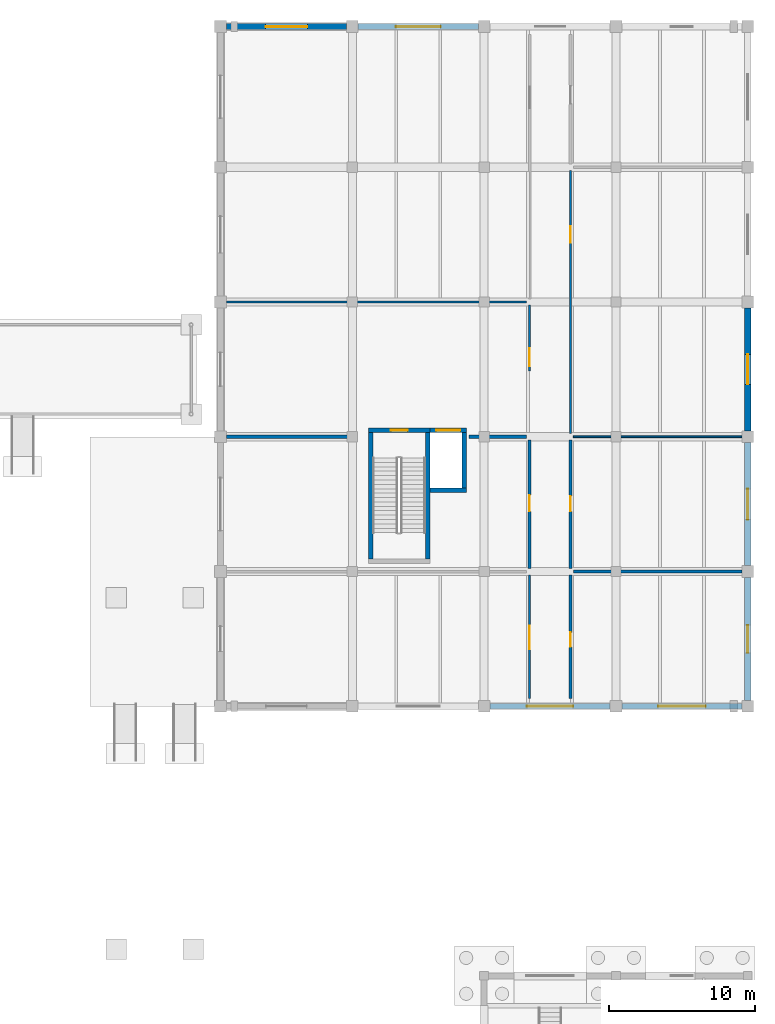
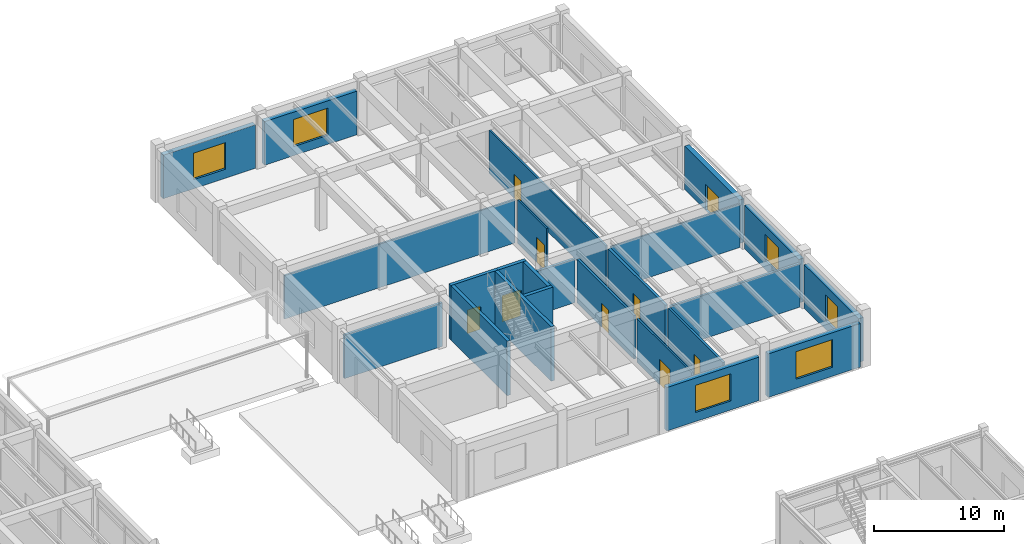
# One storey, part 63 of 76: 24 walls, 9 doors, 6 windows, 15 openings.
"""IFC4 building model written with IfcOpenShell, lengths in metres."""

from ifc_helpers import new_model, si_unit, direction, frame, frame_2d, origin, place, context, subcontext, project, spatial, rectangle, extrude, material, layer, layer_set, type_object, element, fill, save


model = new_model("IFC4")

# Units and contexts
model_context = context("Model", 3, precision=1e-05, world=origin(), true_north=direction((0.0, 1.0)))
body_context = subcontext(model_context, "Body", "Model", "MODEL_VIEW")
ifc_project = project(units=[si_unit("LENGTHUNIT", "METRE"), si_unit("AREAUNIT", "SQUARE_METRE"), si_unit("VOLUMEUNIT", "CUBIC_METRE"), si_unit("PLANEANGLEUNIT", "RADIAN"), si_unit("MASSUNIT", "GRAM", prefix="KILO")], contexts=[model_context])

# Site, building, storey
site_placement = place(None, origin())
site = spatial("IfcSite", under=ifc_project, at=site_placement, CompositionType="ELEMENT")
building_placement = place(site_placement, origin())
building = spatial("IfcBuilding", under=site, at=building_placement, Name="Bozkorgan Art Gallery", CompositionType="ELEMENT")
storey_placement = place(building_placement, origin())
storey = spatial("IfcBuildingStorey", under=building, at=storey_placement, Name="L00", CompositionType="ELEMENT", Elevation=0.0)

# Wall, opening, door
ifc_material_1 = material(Name="Concrete C40/50", Category="concrete")
ifc_layer_1 = layer(ifc_material_1, 0.300048828125, Name="Concrete C40/50")
ifc_layer_set_1 = layer_set([ifc_layer_1], Name="Concrete C40/50")
wall_type_1 = type_object("IfcWallType", Name="IWALL-CW-44", PredefinedType="SHEAR", material=ifc_layer_set_1)
wall_1_placement = place(storey_placement, frame((138.10009765625, 84.85009765625, 0.0), z_axis=(0.0, 0.0, 1.0), x_axis=(1.0, 0.0, 0.0)))
wall_1 = element("IfcWall", 1, at=wall_1_placement, inside=storey, type_object=wall_type_1, Name="CORE3 L00 stair core north shear wall", PredefinedType="SHEAR", context=body_context, shape_type="SweptSolid", body=[
    extrude(rectangle(XDim=4.199951171875, YDim=0.300048828125, at=frame_2d((2.10009765625, 0.0))), origin(), (0.0, 0.0, 1.0), 5.1201171875),
])
opening_1_placement = place(wall_1_placement, frame((1.52490234375, 0.0, 0.0)))
opening_1 = element("IfcOpeningElement", 2, at=opening_1_placement, cuts=wall_1, Name="Opening SD-41", PredefinedType="OPENING", context=body_context, shape_type="SweptSolid", body=[
    extrude(rectangle(XDim=1.14990234375, YDim=2.199951171875, at=frame_2d((0.574951171875, 1.10009765625))), frame((0.0, 0.16015625, 0.0), z_axis=(0.0, -1.0, 0.0), x_axis=(1.0, 0.0, 0.0)), (0.0, 0.0, 1.0), 0.320068359375),
])
ifc_material_2 = material(Name="Steel S355J2", Category="steel")
door_type_1 = type_object("IfcDoorType", Name="IDOOR-SD-41", OperationType="NOTDEFINED", PredefinedType="DOOR", material=ifc_material_2)
door_1_placement = place(opening_1_placement, origin())
door_1 = element("IfcDoor", 3, at=door_1_placement, inside=storey, type_object=door_type_1, Name="ST3 L00 Fire Stair Door", OperationType="SINGLE_SWING_RIGHT", OverallHeight=2.199951171875, OverallWidth=1.14990234375, PredefinedType="DOOR", context=body_context, shape_type="SweptSolid", body=[
    extrude(rectangle(XDim=1.14990234375, YDim=2.199951171875, at=frame_2d((0.574951171875, 1.10009765625))), frame((0.0, 0.02490234375, 0.0), z_axis=(0.0, -1.0, 0.0), x_axis=(1.0, 0.0, 0.0)), (0.0, 0.0, 1.0), 0.050048828125),
])
fill(opening_1, door_1)

# Walls
for number, where, z_axis, x_axis, name in (
    (4, (138.25, 76.050048828125, 0.0), (0.0, 0.0, 1.0), (0.0, 1.0, 0.0), "CORE3 L00 stair core W shear wall"),
    (5, (142.14990234375, 76.050048828125, 0.0), (0.0, 0.0, 1.0), (0.0, 1.0, 0.0), "CORE3 L00 stair core E shear wall"),
):
    element("IfcWall", number, at=place(storey_placement, frame(where, z_axis=z_axis, x_axis=x_axis)), inside=storey, type_object=wall_type_1, Name=name, PredefinedType="SHEAR", context=body_context, shape_type="SweptSolid", body=[
        extrude(rectangle(XDim=8.64990234375, YDim=0.300048828125, at=frame_2d((4.324951171875, 0.0))), origin(), (0.0, 0.0, 1.0), 5.1201171875),
    ])

# Wall, opening, door
wall_2_placement = place(storey_placement, frame((142.300048828125, 84.85009765625, 0.0), z_axis=(0.0, 0.0, 1.0), x_axis=(1.0, 0.0, 0.0)))
wall_2 = element("IfcWall", 6, at=wall_2_placement, inside=storey, type_object=wall_type_1, Name="GL1 L00 shaft front shear wall", PredefinedType="SHEAR", context=body_context, shape_type="SweptSolid", body=[
    extrude(rectangle(XDim=2.5, YDim=0.300048828125, at=frame_2d((1.25, 0.0))), origin(), (0.0, 0.0, 1.0), 5.1201171875),
])
opening_2_placement = place(wall_2_placement, frame((0.425048828125, 0.0, 0.0)))
opening_2 = element("IfcOpeningElement", 7, at=opening_2_placement, cuts=wall_2, Name="Opening LD-87", PredefinedType="OPENING", context=body_context, shape_type="SweptSolid", body=[
    extrude(rectangle(XDim=1.64990234375, YDim=2.449951171875, at=frame_2d((0.824951171875, 1.22509765625))), frame((0.0, 0.16015625, 0.0), z_axis=(0.0, -1.0, 0.0), x_axis=(1.0, 0.0, 0.0)), (0.0, 0.0, 1.0), 0.320068359375),
])
door_type_2 = type_object("IfcDoorType", Name="IDOOR-LD-87", OperationType="NOTDEFINED", PredefinedType="DOOR", material=ifc_material_2)
door_2_placement = place(opening_2_placement, origin())
door_2 = element("IfcDoor", 8, at=door_2_placement, inside=storey, type_object=door_type_2, Name="LD-GL1-L00 Lift Landing Door", OperationType="SLIDING_TO_LEFT", OverallHeight=2.449951171875, OverallWidth=1.64990234375, PredefinedType="DOOR", context=body_context, shape_type="SweptSolid", body=[
    extrude(rectangle(XDim=1.64990234375, YDim=2.449951171875, at=frame_2d((0.824951171875, 1.22509765625))), frame((0.0, 0.02490234375, 0.0), z_axis=(0.0, -1.0, 0.0), x_axis=(1.0, 0.0, 0.0)), (0.0, 0.0, 1.0), 0.050048828125),
])
fill(opening_2, door_2)

# Walls
wall_3_placement = place(storey_placement, frame((142.300048828125, 80.75, 0.0), z_axis=(0.0, 0.0, 1.0), x_axis=(1.0, 0.0, 0.0)))
element("IfcWall", 9, at=wall_3_placement, inside=storey, type_object=wall_type_1, Name="GL1 L00 shaft S shear wall", PredefinedType="SHEAR", context=body_context, shape_type="SweptSolid", body=[
    extrude(rectangle(XDim=2.5, YDim=0.300048828125, at=frame_2d((1.25, 0.0))), origin(), (0.0, 0.0, 1.0), 5.1201171875),
])
wall_4_placement = place(storey_placement, frame((144.64990234375, 80.89990234375, 0.0), z_axis=(0.0, 0.0, 1.0), x_axis=(0.0, 1.0, 0.0)))
element("IfcWall", 10, at=wall_4_placement, inside=storey, type_object=wall_type_1, Name="GL1 L00 shaft E shear wall", PredefinedType="SHEAR", context=body_context, shape_type="SweptSolid", body=[
    extrude(rectangle(XDim=3.800048828125, YDim=0.300048828125, at=frame_2d((1.89990234375, 0.0))), origin(), (0.0, 0.0, 1.0), 5.1201171875),
])

# Wall, opening, door
ifc_material_3 = material(Name="Acoustic Gypsum & Mineral Wool Partition")
ifc_layer_2 = layer(ifc_material_3, 0.22998046875, Name="Acoustic Gypsum & Mineral Wool Partition")
ifc_layer_set_2 = layer_set([ifc_layer_2], Name="Acoustic Gypsum & Mineral Wool Partition")
wall_type_2 = type_object("IfcWallType", Name="IWALL-PR-08", PredefinedType="PARTITIONING", material=ifc_layer_set_2)
wall_5_placement = place(storey_placement, frame((151.89990234375, 75.419921875, 0.0), z_axis=(0.0, 0.0, 1.0), x_axis=(0.0, 1.0, 0.0)))
wall_5 = element("IfcWall", 11, at=wall_5_placement, inside=storey, type_object=wall_type_2, Name="V5 L00 acoustic partition wall 293", PredefinedType="PARTITIONING", context=body_context, shape_type="SweptSolid", body=[
    extrude(rectangle(XDim=8.760009765625, YDim=0.22998046875, at=frame_2d((4.3798828125, 0.0))), origin(), (0.0, 0.0, 1.0), 4.094970703125),
])
opening_3_placement = place(wall_5_placement, frame((3.8798828125, 0.0, 0.0)))
opening_3 = element("IfcOpeningElement", 12, at=opening_3_placement, cuts=wall_5, Name="Opening FD-96", PredefinedType="OPENING", context=body_context, shape_type="SweptSolid", body=[
    extrude(rectangle(XDim=1.0400390625, YDim=2.219970703125, at=frame_2d((0.52001953125, 1.10986328125))), frame((0.0, 0.125, 0.0), z_axis=(0.0, -1.0, 0.0), x_axis=(1.0, 0.0, 0.0)), (0.0, 0.0, 1.0), 0.25),
])
ifc_material_4 = material(Name="Oiled European Oak Joinery")
door_type_3 = type_object("IfcDoorType", Name="IDOOR-FD-96", OperationType="NOTDEFINED", PredefinedType="DOOR", material=ifc_material_4)
door_3_placement = place(opening_3_placement, origin())
door_3 = element("IfcDoor", 13, at=door_3_placement, inside=storey, type_object=door_type_3, Name="Packing Materials Store Door", OperationType="SINGLE_SWING_RIGHT", OverallHeight=2.219970703125, OverallWidth=1.0400390625, PredefinedType="DOOR", context=body_context, shape_type="SweptSolid", body=[
    extrude(rectangle(XDim=1.0400390625, YDim=2.219970703125, at=frame_2d((0.52001953125, 1.10986328125))), frame((0.0, 0.02490234375, 0.0), z_axis=(0.0, -1.0, 0.0), x_axis=(1.0, 0.0, 0.0)), (0.0, 0.0, 1.0), 0.050048828125),
])
fill(opening_3, door_3)

ifc_layer_3 = layer(ifc_material_3, 0.14990234375, Name="Acoustic Gypsum & Mineral Wool Partition")
ifc_layer_set_3 = layer_set([ifc_layer_3], Name="Acoustic Gypsum & Mineral Wool Partition")
wall_type_3 = type_object("IfcWallType", Name="IWALL-PR-55", PredefinedType="PARTITIONING", material=ifc_layer_set_3)
wall_6_placement = place(storey_placement, frame((149.10009765625, 66.5400390625, 0.0), z_axis=(0.0, 0.0, 1.0), x_axis=(0.0, 1.0, 0.0)))
wall_6 = element("IfcWall", 14, at=wall_6_placement, inside=storey, type_object=wall_type_3, Name="V5 L00 acoustic partition wall 283", PredefinedType="PARTITIONING", context=body_context, shape_type="SweptSolid", body=[
    extrude(rectangle(XDim=8.43994140625, YDim=0.14990234375, at=frame_2d((4.219970703125, 0.0))), origin(), (0.0, 0.0, 1.0), 4.094970703125),
])
opening_4_placement = place(wall_6_placement, frame((4.94775390625, 0.0, 0.0), z_axis=(0.0, 0.0, 1.0), x_axis=(-1.0, 0.0, 0.0)))
opening_4 = element("IfcOpeningElement", 15, at=opening_4_placement, cuts=wall_6, Name="Opening GD-25", PredefinedType="OPENING", context=body_context, shape_type="SweptSolid", body=[
    extrude(rectangle(XDim=1.580078125, YDim=2.3798828125, at=frame_2d((0.7900390625, 1.18994140625))), frame((0.0, 0.0849609375, 0.0), z_axis=(0.0, -1.0, 0.0), x_axis=(1.0, 0.0, 0.0)), (0.0, 0.0, 1.0), 0.169921875),
])
door_type_4 = type_object("IfcDoorType", Name="IDOOR-GD-25", OperationType="NOTDEFINED", PredefinedType="DOOR", material=ifc_material_4)
door_4_placement = place(opening_4_placement, origin())
door_4 = element("IfcDoor", 16, at=door_4_placement, inside=storey, type_object=door_type_4, Name="Loading Dock Door", OperationType="DOUBLE_DOOR_SINGLE_SWING", OverallHeight=2.3798828125, OverallWidth=1.580078125, PredefinedType="DOOR", context=body_context, shape_type="SweptSolid", body=[
    extrude(rectangle(XDim=1.580078125, YDim=2.3798828125, at=frame_2d((0.7900390625, 1.18994140625))), frame((0.0, 0.02490234375, 0.0), z_axis=(0.0, -1.0, 0.0), x_axis=(1.0, 0.0, 0.0)), (0.0, 0.0, 1.0), 0.050048828125),
])
fill(opening_4, door_4)

wall_7_placement = place(storey_placement, frame((151.89990234375, 84.6201171875, 0.0), z_axis=(0.0, 0.0, 1.0), x_axis=(0.0, 1.0, 0.0)))
wall_7 = element("IfcWall", 17, at=wall_7_placement, inside=storey, type_object=wall_type_3, Name="V5 L00 acoustic partition wall 295", PredefinedType="PARTITIONING", context=body_context, shape_type="SweptSolid", body=[
    extrude(rectangle(XDim=17.9599609375, YDim=0.14990234375, at=frame_2d((8.97998046875, 0.0))), origin(), (0.0, 0.0, 1.0), 4.094970703125),
])
opening_5_placement = place(wall_7_placement, frame((13.0244140625, 0.0, 0.0)))
opening_5 = element("IfcOpeningElement", 18, at=opening_5_placement, cuts=wall_7, Name="Opening FD-89", PredefinedType="OPENING", context=body_context, shape_type="SweptSolid", body=[
    extrude(rectangle(XDim=1.1201171875, YDim=2.260009765625, at=frame_2d((0.56005859375, 1.1298828125))), frame((0.0, 0.0849609375, 0.0), z_axis=(0.0, -1.0, 0.0), x_axis=(1.0, 0.0, 0.0)), (0.0, 0.0, 1.0), 0.169921875),
])
door_type_5 = type_object("IfcDoorType", Name="IDOOR-FD-89", OperationType="NOTDEFINED", PredefinedType="DOOR", material=ifc_material_4)
door_5_placement = place(opening_5_placement, origin())
door_5 = element("IfcDoor", 19, at=door_5_placement, inside=storey, type_object=door_type_5, Name="Conservation Tool Room Door", OperationType="SINGLE_SWING_LEFT", OverallHeight=2.260009765625, OverallWidth=1.1201171875, PredefinedType="DOOR", context=body_context, shape_type="SweptSolid", body=[
    extrude(rectangle(XDim=1.1201171875, YDim=2.260009765625, at=frame_2d((0.56005859375, 1.1298828125))), frame((0.0, 0.02490234375, 0.0), z_axis=(0.0, -1.0, 0.0), x_axis=(1.0, 0.0, 0.0)), (0.0, 0.0, 1.0), 0.050048828125),
])
fill(opening_5, door_5)

ifc_layer_4 = layer(ifc_material_3, 0.18994140625, Name="Acoustic Gypsum & Mineral Wool Partition")
ifc_layer_set_4 = layer_set([ifc_layer_4], Name="Acoustic Gypsum & Mineral Wool Partition")
wall_type_4 = type_object("IfcWallType", Name="IWALL-PR-66", PredefinedType="PARTITIONING", material=ifc_layer_set_4)
wall_8_placement = place(storey_placement, frame((149.10009765625, 75.419921875, 0.0), z_axis=(0.0, 0.0, 1.0), x_axis=(0.0, 1.0, 0.0)))
wall_8 = element("IfcWall", 20, at=wall_8_placement, inside=storey, type_object=wall_type_4, Name="V5 L00 acoustic partition wall 285", PredefinedType="PARTITIONING", context=body_context, shape_type="SweptSolid", body=[
    extrude(rectangle(XDim=8.760009765625, YDim=0.18994140625, at=frame_2d((4.3798828125, 0.0))), origin(), (0.0, 0.0, 1.0), 4.094970703125),
])
opening_6_placement = place(wall_8_placement, frame((5.0, 0.0, 0.0), z_axis=(0.0, 0.0, 1.0), x_axis=(-1.0, 0.0, 0.0)))
opening_6 = element("IfcOpeningElement", 21, at=opening_6_placement, cuts=wall_8, Name="Opening FD-89", PredefinedType="OPENING", context=body_context, shape_type="SweptSolid", body=[
    extrude(rectangle(XDim=1.1201171875, YDim=2.260009765625, at=frame_2d((0.56005859375, 1.1298828125))), frame((0.0, 0.10498046875, 0.0), z_axis=(0.0, -1.0, 0.0), x_axis=(1.0, 0.0, 0.0)), (0.0, 0.0, 1.0), 0.2099609375),
])
door_6_placement = place(opening_6_placement, origin())
door_6 = element("IfcDoor", 22, at=door_6_placement, inside=storey, type_object=door_type_5, Name="Art Transit Airlock Door", OperationType="SINGLE_SWING_RIGHT", OverallHeight=2.260009765625, OverallWidth=1.1201171875, PredefinedType="DOOR", context=body_context, shape_type="SweptSolid", body=[
    extrude(rectangle(XDim=1.1201171875, YDim=2.260009765625, at=frame_2d((0.56005859375, 1.1298828125))), frame((0.0, 0.02490234375, 0.0), z_axis=(0.0, -1.0, 0.0), x_axis=(1.0, 0.0, 0.0)), (0.0, 0.0, 1.0), 0.050048828125),
])
fill(opening_6, door_6)

wall_9_placement = place(storey_placement, frame((151.89990234375, 66.5400390625, 0.0), z_axis=(0.0, 0.0, 1.0), x_axis=(0.0, 1.0, 0.0)))
wall_9 = element("IfcWall", 23, at=wall_9_placement, inside=storey, type_object=wall_type_4, Name="V5 L00 acoustic partition wall 291", PredefinedType="PARTITIONING", context=body_context, shape_type="SweptSolid", body=[
    extrude(rectangle(XDim=8.43994140625, YDim=0.18994140625, at=frame_2d((4.219970703125, 0.0))), origin(), (0.0, 0.0, 1.0), 4.094970703125),
])
opening_7_placement = place(wall_9_placement, frame((3.518798828125, 0.0, 0.0)))
opening_7 = element("IfcOpeningElement", 24, at=opening_7_placement, cuts=wall_9, Name="Opening FD-75", PredefinedType="OPENING", context=body_context, shape_type="SweptSolid", body=[
    extrude(rectangle(XDim=0.97998046875, YDim=2.179931640625, at=frame_2d((0.489990234375, 1.08984375))), frame((0.0, 0.10498046875, 0.0), z_axis=(0.0, -1.0, 0.0), x_axis=(1.0, 0.0, 0.0)), (0.0, 0.0, 1.0), 0.2099609375),
])
door_type_6 = type_object("IfcDoorType", Name="IDOOR-FD-75", OperationType="NOTDEFINED", PredefinedType="DOOR", material=ifc_material_4)
door_7_placement = place(opening_7_placement, origin())
door_7 = element("IfcDoor", 25, at=door_7_placement, inside=storey, type_object=door_type_6, Name="Condition Photography Bay Door", OperationType="SINGLE_SWING_LEFT", OverallHeight=2.179931640625, OverallWidth=0.97998046875, PredefinedType="DOOR", context=body_context, shape_type="SweptSolid", body=[
    extrude(rectangle(XDim=0.97998046875, YDim=2.179931640625, at=frame_2d((0.489990234375, 1.08984375))), frame((0.0, 0.02490234375, 0.0), z_axis=(0.0, -1.0, 0.0), x_axis=(1.0, 0.0, 0.0)), (0.0, 0.0, 1.0), 0.050048828125),
])
fill(opening_7, door_7)

ifc_layer_5 = layer(ifc_material_3, 0.1298828125, Name="Acoustic Gypsum & Mineral Wool Partition")
ifc_layer_set_5 = layer_set([ifc_layer_5], Name="Acoustic Gypsum & Mineral Wool Partition")
wall_type_5 = type_object("IfcWallType", Name="IWALL-PR-76", PredefinedType="PARTITIONING", material=ifc_layer_set_5)
wall_10_placement = place(storey_placement, frame((149.10009765625, 88.89990234375, 0.0), z_axis=(0.0, 0.0, 1.0), x_axis=(0.0, 1.0, 0.0)))
wall_10 = element("IfcWall", 26, at=wall_10_placement, inside=storey, type_object=wall_type_5, Name="V5 L00 acoustic partition wall 288", PredefinedType="PARTITIONING", context=body_context, shape_type="SweptSolid", body=[
    extrude(rectangle(XDim=4.47998046875, YDim=0.1298828125, at=frame_2d((2.239990234375, 0.0))), origin(), (0.0, 0.0, 1.0), 4.094970703125),
])
opening_8_placement = place(wall_10_placement, frame((1.5400390625, 0.0, 0.0), z_axis=(0.0, 0.0, 1.0), x_axis=(-1.0, 0.0, 0.0)))
opening_8 = element("IfcOpeningElement", 27, at=opening_8_placement, cuts=wall_10, Name="Opening FD-40", PredefinedType="OPENING", context=body_context, shape_type="SweptSolid", body=[
    extrude(rectangle(XDim=1.239990234375, YDim=2.320068359375, at=frame_2d((0.6201171875, 1.16015625))), frame((0.0, 0.074951171875, 0.0), z_axis=(0.0, -1.0, 0.0), x_axis=(1.0, 0.0, 0.0)), (0.0, 0.0, 1.0), 0.14990234375),
])
door_type_7 = type_object("IfcDoorType", Name="IDOOR-FD-40", OperationType="NOTDEFINED", PredefinedType="DOOR", material=ifc_material_4)
door_8_placement = place(opening_8_placement, origin())
door_8 = element("IfcDoor", 28, at=door_8_placement, inside=storey, type_object=door_type_7, Name="Customs Inspection Room Door", OperationType="SINGLE_SWING_LEFT", OverallHeight=2.320068359375, OverallWidth=1.239990234375, PredefinedType="DOOR", context=body_context, shape_type="SweptSolid", body=[
    extrude(rectangle(XDim=1.239990234375, YDim=2.320068359375, at=frame_2d((0.6201171875, 1.16015625))), frame((0.0, 0.02490234375, 0.0), z_axis=(0.0, -1.0, 0.0), x_axis=(1.0, 0.0, 0.0)), (0.0, 0.0, 1.0), 0.050048828125),
])
fill(opening_8, door_8)

# Walls
ifc_layer_6 = layer(ifc_material_3, 0.14990234375, Name="Acoustic Gypsum & Mineral Wool Partition")
ifc_layer_set_6 = layer_set([ifc_layer_6], Name="Acoustic Gypsum & Mineral Wool Partition")
wall_type_6 = type_object("IfcWallType", Name="IWALL-PW-17", PredefinedType="PARTITIONING", material=ifc_layer_set_6)
wall_11_placement = place(storey_placement, frame((128.39990234375, 93.60009765625, 0.0), z_axis=(0.0, 0.0, 1.0), x_axis=(1.0, 0.0, 0.0)))
element("IfcWall", 29, at=wall_11_placement, inside=storey, type_object=wall_type_6, Name="V5 L00 acoustic partition wall 289", PredefinedType="PARTITIONING", context=body_context, shape_type="SweptSolid", body=[
    extrude(rectangle(XDim=20.5, YDim=0.14990234375, at=frame_2d((10.25, 0.0))), origin(), (0.0, 0.0, 1.0), 4.094970703125),
])
ifc_layer_7 = layer(ifc_material_3, 0.2099609375, Name="Acoustic Gypsum & Mineral Wool Partition")
ifc_layer_set_7 = layer_set([ifc_layer_7], Name="Acoustic Gypsum & Mineral Wool Partition")
wall_type_7 = type_object("IfcWallType", Name="IWALL-PW-72", PredefinedType="PARTITIONING", material=ifc_layer_set_7)
wall_12_placement = place(storey_placement, frame((128.39990234375, 84.39990234375, 0.0), z_axis=(0.0, 0.0, 1.0), x_axis=(1.0, 0.0, 0.0)))
element("IfcWall", 30, at=wall_12_placement, inside=storey, type_object=wall_type_7, Name="V5 L00 acoustic partition wall 286", PredefinedType="PARTITIONING", context=body_context, shape_type="SweptSolid", body=[
    extrude(rectangle(XDim=8.72021484375, YDim=0.2099609375, at=frame_2d((4.360107421875, 0.0))), origin(), (0.0, 0.0, 1.0), 4.094970703125),
])
wall_13_placement = place(storey_placement, frame((152.10009765625, 75.199951171875, 0.0), z_axis=(0.0, 0.0, 1.0), x_axis=(1.0, 0.0, 0.0)))
element("IfcWall", 31, at=wall_13_placement, inside=storey, type_object=wall_type_7, Name="V5 L00 acoustic partition wall 292", PredefinedType="PARTITIONING", context=body_context, shape_type="SweptSolid", body=[
    extrude(rectangle(XDim=11.5, YDim=0.2099609375, at=frame_2d((5.75, 0.0))), origin(), (0.0, 0.0, 1.0), 4.094970703125),
])
ifc_layer_8 = layer(ifc_material_3, 0.22998046875, Name="Acoustic Gypsum & Mineral Wool Partition")
ifc_layer_set_8 = layer_set([ifc_layer_8], Name="Acoustic Gypsum & Mineral Wool Partition")
wall_type_8 = type_object("IfcWallType", Name="IWALL-PW-96", PredefinedType="PARTITIONING", material=ifc_layer_set_8)
wall_14_placement = place(storey_placement, frame((144.9599609375, 84.39990234375, 0.0), z_axis=(0.0, 0.0, 1.0), x_axis=(1.0, 0.0, 0.0)))
element("IfcWall", 32, at=wall_14_placement, inside=storey, type_object=wall_type_8, Name="V5 L00 acoustic partition wall 287", PredefinedType="PARTITIONING", context=body_context, shape_type="SweptSolid", body=[
    extrude(rectangle(XDim=3.93994140625, YDim=0.22998046875, at=frame_2d((1.969970703125, 0.0))), origin(), (0.0, 0.0, 1.0), 4.094970703125),
])
ifc_layer_9 = layer(ifc_material_3, 0.1298828125, Name="Acoustic Gypsum & Mineral Wool Partition")
ifc_layer_set_9 = layer_set([ifc_layer_9], Name="Acoustic Gypsum & Mineral Wool Partition")
wall_type_9 = type_object("IfcWallType", Name="IWALL-PW-97", PredefinedType="PARTITIONING", material=ifc_layer_set_9)
wall_15_placement = place(storey_placement, frame((152.10009765625, 84.39990234375, 0.0), z_axis=(0.0, 0.0, 1.0), x_axis=(1.0, 0.0, 0.0)))
element("IfcWall", 33, at=wall_15_placement, inside=storey, type_object=wall_type_9, Name="V5 L00 acoustic partition wall 294", PredefinedType="PARTITIONING", context=body_context, shape_type="SweptSolid", body=[
    extrude(rectangle(XDim=11.5, YDim=0.1298828125, at=frame_2d((5.75, 0.0))), origin(), (0.0, 0.0, 1.0), 4.094970703125),
])

# Wall, opening, door
ifc_material_5 = material(Name="Kordai Rose Granite Ashlar", Category="masonry")
ifc_layer_10 = layer(ifc_material_5, 0.419921875, Name="Kordai Rose Granite Ashlar")
ifc_layer_set_10 = layer_set([ifc_layer_10], Name="Kordai Rose Granite Ashlar")
wall_type_10 = type_object("IfcWallType", Name="WALL-EW-45", PredefinedType="STANDARD", material=ifc_layer_set_10)
wall_16_placement = place(storey_placement, frame((164.0, 84.800048828125, 0.0), z_axis=(0.0, 0.0, 1.0), x_axis=(0.0, 1.0, 0.0)))
wall_16 = element("IfcWall", 34, at=wall_16_placement, inside=storey, type_object=wall_type_10, Name="V5 L00 entrance portal wall (ED07)", PredefinedType="STANDARD", context=body_context, shape_type="SweptSolid", body=[
    extrude(rectangle(XDim=8.39990234375, YDim=0.419921875, at=frame_2d((4.199951171875, 0.0))), origin(), (0.0, 0.0, 1.0), 4.094970703125),
])
opening_9_placement = place(wall_16_placement, frame((5.22509765625, 0.0, 0.0), z_axis=(0.0, 0.0, 1.0), x_axis=(-1.0, 0.0, 0.0)))
opening_9 = element("IfcOpeningElement", 35, at=opening_9_placement, cuts=wall_16, Name="Opening ED-19", PredefinedType="OPENING", context=body_context, shape_type="SweptSolid", body=[
    extrude(rectangle(XDim=2.050048828125, YDim=2.449951171875, at=frame_2d((1.02490234375, 1.22509765625))), frame((0.0, 0.219970703125, 0.0), z_axis=(0.0, -1.0, 0.0), x_axis=(1.0, 0.0, 0.0)), (0.0, 0.0, 1.0), 0.43994140625),
])
ifc_material_6 = material(Name="Anodised Bronze Aluminium", Category="aluminium")
door_type_8 = type_object("IfcDoorType", Name="DOOR-ED-19", OperationType="NOTDEFINED", PredefinedType="DOOR", material=ifc_material_6)
door_9_placement = place(opening_9_placement, origin())
door_9 = element("IfcDoor", 36, at=door_9_placement, inside=storey, type_object=door_type_8, Name="ED07 Final Exit Portal Door", OperationType="DOUBLE_DOOR_SINGLE_SWING", OverallHeight=2.449951171875, OverallWidth=2.050048828125, PredefinedType="DOOR", context=body_context, shape_type="SweptSolid", body=[
    extrude(rectangle(XDim=2.050048828125, YDim=2.449951171875, at=frame_2d((1.02490234375, 1.22509765625))), frame((0.0, 0.02490234375, 0.0), z_axis=(0.0, -1.0, 0.0), x_axis=(1.0, 0.0, 0.0)), (0.0, 0.0, 1.0), 0.050048828125),
])
fill(opening_9, door_9)

# Wall, opening, window
ifc_layer_11 = layer(ifc_material_5, 0.419921875, Name="Kordai Rose Granite Ashlar")
ifc_layer_set_11 = layer_set([ifc_layer_11], Name="Kordai Rose Granite Ashlar")
wall_type_11 = type_object("IfcWallType", Name="WALL-WG-54", PredefinedType="STANDARD", material=ifc_layer_set_11)
wall_17_placement = place(storey_placement, frame((128.39990234375, 112.39990234375, 0.0), z_axis=(0.0, 0.0, 1.0), x_axis=(1.0, 0.0, 0.0)))
wall_17 = element("IfcWall", 37, at=wall_17_placement, inside=storey, type_object=wall_type_11, Name="V5 L00 exterior facade wall 1N-2", PredefinedType="STANDARD", context=body_context, shape_type="SweptSolid", body=[
    extrude(rectangle(XDim=8.2001953125, YDim=0.419921875, at=frame_2d((4.10009765625, 0.0))), origin(), (0.0, 0.0, 1.0), 4.094970703125),
])
opening_10_placement = place(wall_17_placement, frame((2.675048828125, 0.0, 0.85009765625)))
opening_10 = element("IfcOpeningElement", 38, at=opening_10_placement, cuts=wall_17, Name="Opening WN-82", PredefinedType="OPENING", context=body_context, shape_type="SweptSolid", body=[
    extrude(rectangle(XDim=2.85009765625, YDim=2.5, at=frame_2d((1.425048828125, 1.25))), frame((0.0, 0.219970703125, 0.0), z_axis=(0.0, -1.0, 0.0), x_axis=(1.0, 0.0, 0.0)), (0.0, 0.0, 1.0), 0.43994140625),
])
ifc_material_7 = material(Name="Triple Low-E Laminated Glass", Category="glass")
window_type_1 = type_object("IfcWindowType", Name="WIN-WN-82", PartitioningType="SINGLE_PANEL", PredefinedType="WINDOW", material=ifc_material_7)
window_1_placement = place(opening_10_placement, origin())
window_1 = element("IfcWindow", 39, at=window_1_placement, inside=storey, type_object=window_type_1, Name="V5 L00 gallery window 1N-2", OverallHeight=2.5, OverallWidth=2.85009765625, PartitioningType="SINGLE_PANEL", PredefinedType="WINDOW", context=body_context, shape_type="SweptSolid", body=[
    extrude(rectangle(XDim=2.85009765625, YDim=2.5, at=frame_2d((1.425048828125, 1.25))), frame((0.0, 0.030029296875, 0.0), z_axis=(0.0, -1.0, 0.0), x_axis=(1.0, 0.0, 0.0)), (0.0, 0.0, 1.0), 0.06005859375),
])
fill(opening_10, window_1)

wall_18_placement = place(storey_placement, frame((137.39990234375, 112.39990234375, 0.0), z_axis=(0.0, 0.0, 1.0), x_axis=(1.0, 0.0, 0.0)))
wall_18 = element("IfcWall", 40, at=wall_18_placement, inside=storey, type_object=wall_type_11, Name="V5 L00 exterior facade wall 1N-4", PredefinedType="STANDARD", context=body_context, shape_type="SweptSolid", body=[
    extrude(rectangle(XDim=8.2001953125, YDim=0.419921875, at=frame_2d((4.10009765625, 0.0))), origin(), (0.0, 0.0, 1.0), 4.094970703125),
])
opening_11_placement = place(wall_18_placement, frame((2.574951171875, 0.0, 0.85009765625)))
opening_11 = element("IfcOpeningElement", 41, at=opening_11_placement, cuts=wall_18, Name="Opening WN-30", PredefinedType="OPENING", context=body_context, shape_type="SweptSolid", body=[
    extrude(rectangle(XDim=3.050048828125, YDim=2.550048828125, at=frame_2d((1.52490234375, 1.27490234375))), frame((0.0, 0.219970703125, 0.0), z_axis=(0.0, -1.0, 0.0), x_axis=(1.0, 0.0, 0.0)), (0.0, 0.0, 1.0), 0.43994140625),
])
window_type_2 = type_object("IfcWindowType", Name="WIN-WN-30", PartitioningType="SINGLE_PANEL", PredefinedType="WINDOW", material=ifc_material_7)
window_2_placement = place(opening_11_placement, origin())
window_2 = element("IfcWindow", 42, at=window_2_placement, inside=storey, type_object=window_type_2, Name="V5 L00 gallery window 1N-4", OverallHeight=2.550048828125, OverallWidth=3.050048828125, PartitioningType="SINGLE_PANEL", PredefinedType="WINDOW", context=body_context, shape_type="SweptSolid", body=[
    extrude(rectangle(XDim=3.050048828125, YDim=2.550048828125, at=frame_2d((1.52490234375, 1.27490234375))), frame((0.0, 0.030029296875, 0.0), z_axis=(0.0, -1.0, 0.0), x_axis=(1.0, 0.0, 0.0)), (0.0, 0.0, 1.0), 0.06005859375),
])
fill(opening_11, window_2)

wall_19_placement = place(storey_placement, frame((164.0, 66.39990234375, 0.0), z_axis=(0.0, 0.0, 1.0), x_axis=(0.0, 1.0, 0.0)))
wall_19 = element("IfcWall", 43, at=wall_19_placement, inside=storey, type_object=wall_type_11, Name="V5 L00 exterior facade wall 1E-10", PredefinedType="STANDARD", context=body_context, shape_type="SweptSolid", body=[
    extrude(rectangle(XDim=8.400146484375, YDim=0.419921875, at=frame_2d((4.2001953125, 0.0))), origin(), (0.0, 0.0, 1.0), 4.094970703125),
])
opening_12_placement = place(wall_19_placement, frame((5.14990234375, 0.0, 0.85009765625), z_axis=(0.0, 0.0, 1.0), x_axis=(-1.0, 0.0, 0.0)))
opening_12 = element("IfcOpeningElement", 44, at=opening_12_placement, cuts=wall_19, Name="Opening WN-52", PredefinedType="OPENING", context=body_context, shape_type="SweptSolid", body=[
    extrude(rectangle(XDim=1.89990234375, YDim=2.39990234375, at=frame_2d((0.949951171875, 1.199951171875))), frame((0.0, 0.219970703125, 0.0), z_axis=(0.0, -1.0, 0.0), x_axis=(1.0, 0.0, 0.0)), (0.0, 0.0, 1.0), 0.43994140625),
])
window_type_3 = type_object("IfcWindowType", Name="WIN-WN-52", PartitioningType="SINGLE_PANEL", PredefinedType="WINDOW", material=ifc_material_7)
window_3_placement = place(opening_12_placement, origin())
window_3 = element("IfcWindow", 45, at=window_3_placement, inside=storey, type_object=window_type_3, Name="V5 L00 gallery window 1E-10", OverallHeight=2.39990234375, OverallWidth=1.89990234375, PartitioningType="SINGLE_PANEL", PredefinedType="WINDOW", context=body_context, shape_type="SweptSolid", body=[
    extrude(rectangle(XDim=1.89990234375, YDim=2.39990234375, at=frame_2d((0.949951171875, 1.199951171875))), frame((0.0, 0.030029296875, 0.0), z_axis=(0.0, -1.0, 0.0), x_axis=(1.0, 0.0, 0.0)), (0.0, 0.0, 1.0), 0.06005859375),
])
fill(opening_12, window_3)

wall_20_placement = place(storey_placement, frame((164.0, 75.60009765625, 0.0), z_axis=(0.0, 0.0, 1.0), x_axis=(0.0, 1.0, 0.0)))
wall_20 = element("IfcWall", 46, at=wall_20_placement, inside=storey, type_object=wall_type_11, Name="V5 L00 exterior facade wall 1E-12", PredefinedType="STANDARD", context=body_context, shape_type="SweptSolid", body=[
    extrude(rectangle(XDim=8.39990234375, YDim=0.419921875, at=frame_2d((4.199951171875, 0.0))), origin(), (0.0, 0.0, 1.0), 4.094970703125),
])
opening_13_placement = place(wall_20_placement, frame((5.25, 0.0, 0.85009765625), z_axis=(0.0, 0.0, 1.0), x_axis=(-1.0, 0.0, 0.0)))
opening_13 = element("IfcOpeningElement", 47, at=opening_13_placement, cuts=wall_20, Name="Opening WN-22", PredefinedType="OPENING", context=body_context, shape_type="SweptSolid", body=[
    extrude(rectangle(XDim=2.10009765625, YDim=2.449951171875, at=frame_2d((1.050048828125, 1.22509765625))), frame((0.0, 0.219970703125, 0.0), z_axis=(0.0, -1.0, 0.0), x_axis=(1.0, 0.0, 0.0)), (0.0, 0.0, 1.0), 0.43994140625),
])
window_type_4 = type_object("IfcWindowType", Name="WIN-WN-22", PartitioningType="SINGLE_PANEL", PredefinedType="WINDOW", material=ifc_material_7)
window_4_placement = place(opening_13_placement, origin())
window_4 = element("IfcWindow", 48, at=window_4_placement, inside=storey, type_object=window_type_4, Name="V5 L00 gallery window 1E-12", OverallHeight=2.449951171875, OverallWidth=2.10009765625, PartitioningType="SINGLE_PANEL", PredefinedType="WINDOW", context=body_context, shape_type="SweptSolid", body=[
    extrude(rectangle(XDim=2.10009765625, YDim=2.449951171875, at=frame_2d((1.050048828125, 1.22509765625))), frame((0.0, 0.030029296875, 0.0), z_axis=(0.0, -1.0, 0.0), x_axis=(1.0, 0.0, 0.0)), (0.0, 0.0, 1.0), 0.06005859375),
])
fill(opening_13, window_4)

ifc_layer_12 = layer(ifc_material_5, 0.39990234375, Name="Kordai Rose Granite Ashlar")
ifc_layer_set_12 = layer_set([ifc_layer_12], Name="Kordai Rose Granite Ashlar")
wall_type_12 = type_object("IfcWallType", Name="WALL-WG-66", PredefinedType="STANDARD", material=ifc_layer_set_12)
wall_21_placement = place(storey_placement, frame((146.39990234375, 66.0, 0.0), z_axis=(0.0, 0.0, 1.0), x_axis=(1.0, 0.0, 0.0)))
wall_21 = element("IfcWall", 49, at=wall_21_placement, inside=storey, type_object=wall_type_12, Name="V5 L00 exterior facade wall 1S-5", PredefinedType="STANDARD", context=body_context, shape_type="SweptSolid", body=[
    extrude(rectangle(XDim=8.2001953125, YDim=0.39990234375, at=frame_2d((4.10009765625, 0.0))), origin(), (0.0, 0.0, 1.0), 4.094970703125),
])
opening_14_placement = place(wall_21_placement, frame((5.6748046875, 0.0, 0.85009765625), z_axis=(0.0, 0.0, 1.0), x_axis=(-1.0, 0.0, 0.0)))
opening_14 = element("IfcOpeningElement", 50, at=opening_14_placement, cuts=wall_21, Name="Opening WN-84", PredefinedType="OPENING", context=body_context, shape_type="SweptSolid", body=[
    extrude(rectangle(XDim=3.14990234375, YDim=2.550048828125, at=frame_2d((1.574951171875, 1.27490234375))), frame((0.0, 0.2099609375, 0.0), z_axis=(0.0, -1.0, 0.0), x_axis=(1.0, 0.0, 0.0)), (0.0, 0.0, 1.0), 0.419921875),
])
window_type_5 = type_object("IfcWindowType", Name="WIN-WN-84", PartitioningType="SINGLE_PANEL", PredefinedType="WINDOW", material=ifc_material_7)
window_5_placement = place(opening_14_placement, origin())
window_5 = element("IfcWindow", 51, at=window_5_placement, inside=storey, type_object=window_type_5, Name="V5 L00 gallery window 1S-5", OverallHeight=2.550048828125, OverallWidth=3.14990234375, PartitioningType="SINGLE_PANEL", PredefinedType="WINDOW", context=body_context, shape_type="SweptSolid", body=[
    extrude(rectangle(XDim=3.14990234375, YDim=2.550048828125, at=frame_2d((1.574951171875, 1.27490234375))), frame((0.0, 0.030029296875, 0.0), z_axis=(0.0, -1.0, 0.0), x_axis=(1.0, 0.0, 0.0)), (0.0, 0.0, 1.0), 0.06005859375),
])
fill(opening_14, window_5)

wall_22_placement = place(storey_placement, frame((155.39990234375, 66.0, 0.0), z_axis=(0.0, 0.0, 1.0), x_axis=(1.0, 0.0, 0.0)))
wall_22 = element("IfcWall", 52, at=wall_22_placement, inside=storey, type_object=wall_type_12, Name="V5 L00 exterior facade wall 1S-7", PredefinedType="STANDARD", context=body_context, shape_type="SweptSolid", body=[
    extrude(rectangle(XDim=8.2001953125, YDim=0.39990234375, at=frame_2d((4.10009765625, 0.0))), origin(), (0.0, 0.0, 1.0), 4.094970703125),
])
opening_15_placement = place(wall_22_placement, frame((5.72509765625, 0.0, 0.85009765625), z_axis=(0.0, 0.0, 1.0), x_axis=(-1.0, 0.0, 0.0)))
opening_15 = element("IfcOpeningElement", 53, at=opening_15_placement, cuts=wall_22, Name="Opening WN-38", PredefinedType="OPENING", context=body_context, shape_type="SweptSolid", body=[
    extrude(rectangle(XDim=3.25, YDim=2.60009765625, at=frame_2d((1.625, 1.300048828125))), frame((0.0, 0.2099609375, 0.0), z_axis=(0.0, -1.0, 0.0), x_axis=(1.0, 0.0, 0.0)), (0.0, 0.0, 1.0), 0.419921875),
])
window_type_6 = type_object("IfcWindowType", Name="WIN-WN-38", PartitioningType="SINGLE_PANEL", PredefinedType="WINDOW", material=ifc_material_7)
window_6_placement = place(opening_15_placement, origin())
window_6 = element("IfcWindow", 54, at=window_6_placement, inside=storey, type_object=window_type_6, Name="V5 L00 gallery window 1S-7", OverallHeight=2.60009765625, OverallWidth=3.25, PartitioningType="SINGLE_PANEL", PredefinedType="WINDOW", context=body_context, shape_type="SweptSolid", body=[
    extrude(rectangle(XDim=3.25, YDim=2.60009765625, at=frame_2d((1.625, 1.300048828125))), frame((0.0, 0.030029296875, 0.0), z_axis=(0.0, -1.0, 0.0), x_axis=(1.0, 0.0, 0.0)), (0.0, 0.0, 1.0), 0.06005859375),
])
fill(opening_15, window_6)

save(model, "model.ifc")
